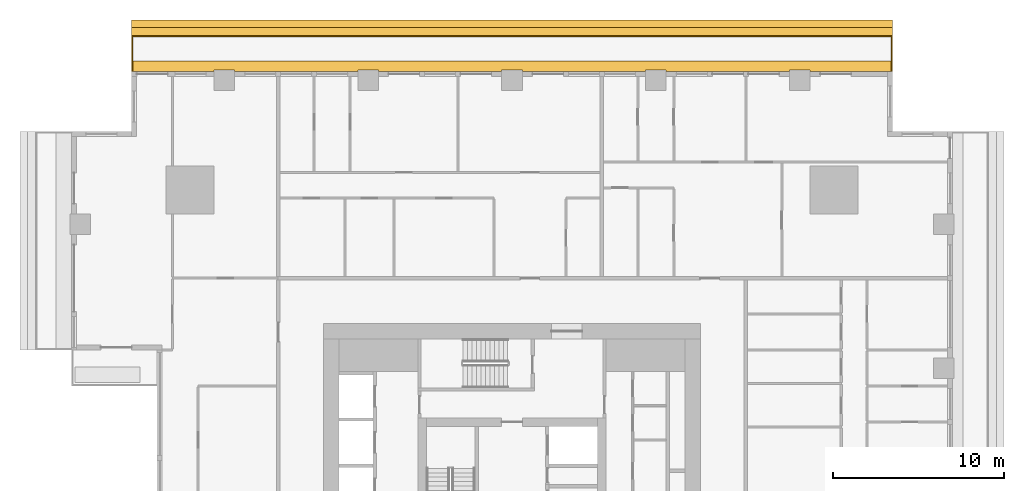
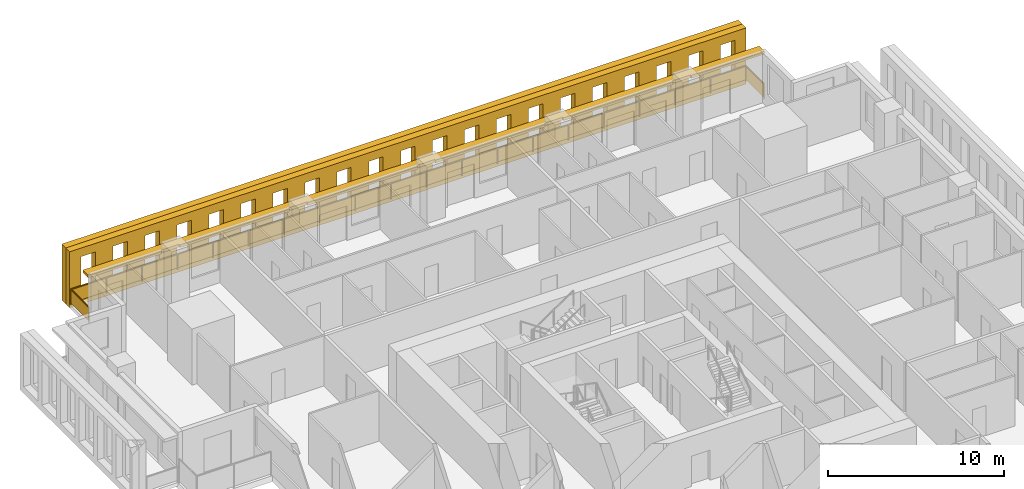
# One storey, part 14 of 14: 3 shading devices, 1 railing.
"""IFC4 building model written with IfcOpenShell, lengths in metres."""

import ifcopenshell
import ifcopenshell.guid

model = None  # the IFC model being written
_history = None  # IfcOwnerHistory: only IFC2X3 demands one
_inside = {}  # id of a spatial element -> (the spatial element, [elements in it])
_under = {}  # id of a project, library or spatial element -> (it, [spatial elements below it])
_declared = {}  # id of a project -> (the project, [libraries it declares])
_typed = {}  # id of a type object -> (the type object, [elements of that type])
_made_of = {}  # id of a material, layer set ... -> (it, [elements and type objects made of it])


def new_model(schema):
    """Start an empty IFC model of exactly this schema.

    Asked for "IFC4X3", IfcOpenShell would pick the latest addendum, in which some entities
    have other attributes; the version numbers below select the first issue.
    IFC2X3 requires an IfcOwnerHistory on every rooted entity: one is made here for all.
    """
    global model, _history
    if schema == "IFC4X3":
        model = ifcopenshell.file(schema_version=(4, 3, 0, 0))
    else:
        model = ifcopenshell.file(schema=schema)
    _inside.clear()
    _under.clear()
    _declared.clear()
    _typed.clear()
    _made_of.clear()
    _history = None
    if model.schema == "IFC2X3":
        org = make("IfcOrganization", Name="unknown")
        user = make(
            "IfcPersonAndOrganization",
            ThePerson=make("IfcPerson", FamilyName="unknown"),
            TheOrganization=org,
        )
        app = make(
            "IfcApplication",
            ApplicationDeveloper=org,
            Version="unknown",
            ApplicationFullName="unknown",
            ApplicationIdentifier="unknown",
        )
        _history = make(
            "IfcOwnerHistory",
            OwningUser=user,
            OwningApplication=app,
            ChangeAction="ADDED",
            CreationDate=0,
        )
    return model


def make(cls, **values):
    """One entity of the class cls with the attributes given. An attribute that is None is left unset."""
    return model.create_entity(
        cls, **{name: value for name, value in values.items() if value is not None}
    )


def rooted(cls, **values):
    """An entity with a GlobalId (a new one), such as an element, a storey or a relation."""
    return make(cls, GlobalId=ifcopenshell.guid.new(), OwnerHistory=_history, **values)


def si_unit(unit_type, name, prefix=None):
    """IfcSIUnit, for example si_unit("LENGTHUNIT", "METRE", prefix="MILLI")."""
    return make("IfcSIUnit", UnitType=unit_type, Prefix=prefix, Name=name)


def assignment(units):
    """IfcUnitAssignment: the units of a project."""
    return None if units is None else make("IfcUnitAssignment", Units=units)


def point(xyz):
    """IfcCartesianPoint."""
    return None if xyz is None else make("IfcCartesianPoint", Coordinates=xyz)


def direction(xyz):
    """IfcDirection."""
    return None if xyz is None else make("IfcDirection", DirectionRatios=xyz)


def frame(location, z_axis=None, x_axis=None):
    """IfcAxis2Placement3D, a coordinate frame: its origin and axes. An axis left out is left unset."""
    return make(
        "IfcAxis2Placement3D",
        Location=point(location),
        Axis=direction(z_axis),
        RefDirection=direction(x_axis),
    )


def frame_2d(location, x_axis=None):
    """IfcAxis2Placement2D, a coordinate frame in the plane: its origin and x axis."""
    return make(
        "IfcAxis2Placement2D", Location=point(location), RefDirection=direction(x_axis)
    )


def origin():
    """The frame at (0, 0, 0) with its axes left unset."""
    return frame((0.0, 0.0, 0.0))


def origin_2d():
    """The frame at (0, 0) in the plane with its x axis left unset."""
    return frame_2d((0.0, 0.0))


def place(relative_to, where):
    """IfcLocalPlacement: puts the frame where relative to a parent placement (None: the world)."""
    return make(
        "IfcLocalPlacement", PlacementRelTo=relative_to, RelativePlacement=where
    )


def context(
    kind, dimensions, precision=None, world=None, true_north=None, identifier=None
):
    """IfcGeometricRepresentationContext, for example the 3D "Model" context."""
    return make(
        "IfcGeometricRepresentationContext",
        ContextIdentifier=identifier,
        ContextType=kind,
        CoordinateSpaceDimension=dimensions,
        Precision=precision,
        WorldCoordinateSystem=world,
        TrueNorth=true_north,
    )


def subcontext(parent, identifier, kind, view, scale=None):
    """IfcGeometricRepresentationSubContext, for example "Body" below "Model"."""
    return make(
        "IfcGeometricRepresentationSubContext",
        ContextIdentifier=identifier,
        ContextType=kind,
        ParentContext=parent,
        TargetScale=scale,
        TargetView=view,
    )


def project(units=None, contexts=None):
    """IfcProject with its units and contexts."""
    return rooted(
        "IfcProject",
        Name="project",
        RepresentationContexts=contexts,
        UnitsInContext=assignment(units),
    )


def spatial(cls, under=None, at=None, **own):
    """A site, building, storey or space (cls), placed at a placement, below another one or the project."""
    s = rooted(cls, ObjectPlacement=at, **own)
    if under is not None:
        _under.setdefault(under.id(), (under, []))[1].append(s)
    return s


def polyline(points):
    """IfcPolyline through the points."""
    return make("IfcPolyline", Points=[point(p) for p in points])


def profile(cls, at=None, kind="AREA", **sizes):
    """A parametric profile (cls). Its sizes go by their IFC names, for example OverallWidth=200.0."""
    return make(cls, ProfileType=kind, Position=at, **sizes)


def rectangle(**sizes):
    """IfcRectangleProfileDef."""
    return profile("IfcRectangleProfileDef", **sizes)


def outline(outer, holes=None, kind="AREA"):
    """IfcArbitraryClosedProfileDef: a profile drawn as a closed curve; with holes, ...WithVoids."""
    if holes is None:
        return make("IfcArbitraryClosedProfileDef", ProfileType=kind, OuterCurve=outer)
    return make(
        "IfcArbitraryProfileDefWithVoids",
        ProfileType=kind,
        OuterCurve=outer,
        InnerCurves=holes,
    )


def extrude(swept, where, along, depth):
    """IfcExtrudedAreaSolid: the profile swept, set in the frame where, extruded along a direction by depth."""
    return make(
        "IfcExtrudedAreaSolid",
        SweptArea=swept,
        Position=where,
        ExtrudedDirection=direction(along),
        Depth=depth,
    )


def shape(context_of_items, identifier, shape_type, items):
    """IfcShapeRepresentation: the items that make up one representation, for example the "Body"."""
    return make(
        "IfcShapeRepresentation",
        ContextOfItems=context_of_items,
        RepresentationIdentifier=identifier,
        RepresentationType=shape_type,
        Items=items,
    )


def material(Name=None, Category=None):
    """IfcMaterial."""
    return make("IfcMaterial", Name=Name, Category=Category)


def layer(
    of_material, thickness, ventilated=None, Name=None, Category=None, Priority=None
):
    """IfcMaterialLayer: one layer of a wall or slab, of a material (None: an air gap)."""
    return make(
        "IfcMaterialLayer",
        Material=of_material,
        LayerThickness=thickness,
        IsVentilated=ventilated,
        Name=Name,
        Category=Category,
        Priority=Priority,
    )


def layer_set(layers, Name=None):
    """IfcMaterialLayerSet."""
    return make("IfcMaterialLayerSet", MaterialLayers=layers, LayerSetName=Name)


def made_of(thing, what):
    """Note that an element or type object is made of a material, layer set ...; save() writes the relation."""
    if what is not None:
        _made_of.setdefault(what.id(), (what, []))[1].append(thing)
    return thing


def type_object(cls, material=None, **own):
    """A type object (cls), such as IfcWallType, which elements share."""
    return made_of(rooted(cls, **own), material)


def element(
    cls,
    number,
    at=None,
    inside=None,
    cuts=None,
    type_object=None,
    material=None,
    context=None,
    identifier="Body",
    shape_type=None,
    held_by="IfcProductDefinitionShape",
    body=None,
    shapes=None,
    **own,
):
    """One element of the class cls, such as IfcWall. Its Tag is "e" and its number.

    at: its placement. inside: the storey or other place that contains it. cuts: it is an
    opening in that element (IfcRelVoidsElement). A single representation is given by context,
    identifier, shape_type and body (its items); several are given by shapes. held_by: the class
    of the entity that holds the representations. save() writes the other relations.
    """
    e = rooted(cls, Tag="e%d" % number, ObjectPlacement=at, **own)
    if body is not None:
        shapes = [shape(context, identifier, shape_type, body)]
    if shapes is not None:
        e.Representation = make(held_by, Representations=shapes)
    if inside is not None:
        _inside.setdefault(inside.id(), (inside, []))[1].append(e)
    if cuts is not None:
        rooted(
            "IfcRelVoidsElement", RelatingBuildingElement=cuts, RelatedOpeningElement=e
        )
    if type_object is not None:
        _typed.setdefault(type_object.id(), (type_object, []))[1].append(e)
    return made_of(e, material)


def aggregate(whole, parts):
    """IfcRelAggregates: a whole, such as a stair, and the parts it consists of."""
    return rooted("IfcRelAggregates", RelatingObject=whole, RelatedObjects=parts)


def save(model, path):
    """Write the relations noted so far, then the file.

    IfcRelAggregates (storeys below a building ...), IfcRelContainedInSpatialStructure (elements
    in a storey), IfcRelDefinesByType, IfcRelAssociatesMaterial and IfcRelDeclares: one each for
    every whole, place, type object, material and project.
    """
    for whole, parts in _under.values():
        aggregate(whole, parts)
    for where, things in _inside.values():
        rooted(
            "IfcRelContainedInSpatialStructure",
            RelatedElements=things,
            RelatingStructure=where,
        )
    for kind, things in _typed.values():
        rooted("IfcRelDefinesByType", RelatedObjects=things, RelatingType=kind)
    for what, things in _made_of.values():
        rooted("IfcRelAssociatesMaterial", RelatedObjects=things, RelatingMaterial=what)
    for by, libraries in _declared.values():
        rooted("IfcRelDeclares", RelatingContext=by, RelatedDefinitions=libraries)
    model.write(path)


model = new_model("IFC4")

# Units and contexts
model_context = context("Model", 3, precision=1e-05, world=origin(), true_north=direction((0.0, 1.0)))
body_context = subcontext(model_context, "Body", "Model", "MODEL_VIEW")
ifc_project = project(units=[si_unit("LENGTHUNIT", "METRE"), si_unit("AREAUNIT", "SQUARE_METRE"), si_unit("VOLUMEUNIT", "CUBIC_METRE"), si_unit("PLANEANGLEUNIT", "RADIAN"), si_unit("MASSUNIT", "GRAM", prefix="KILO")], contexts=[model_context])

# Site, building, storey
site_placement = place(None, origin())
site = spatial("IfcSite", under=ifc_project, at=site_placement, CompositionType="ELEMENT")
building_placement = place(site_placement, origin())
building = spatial("IfcBuilding", under=site, at=building_placement, Name="Khepri Terraces", CompositionType="ELEMENT")
storey_placement = place(building_placement, frame((0.0, 0.0, 102.60009765625)))
storey = spatial("IfcBuildingStorey", under=building, at=storey_placement, Name="L24", CompositionType="ELEMENT", Elevation=102.60009765625)

# Railing
ifc_material_1 = material(Name="Stainless steel grade 316", Category="steel")
railing_type = type_object("IfcRailingType", Name="GRD-BAL-1100", PredefinedType="GUARDRAIL", material=ifc_material_1)
railing_placement = place(storey_placement, frame((22.169921875, 25.719970703125, 0.0)))
element("IfcRailing", 1, at=railing_placement, inside=storey, type_object=railing_type, Name="Balcony guard L24 N", PredefinedType="GUARDRAIL", context=body_context, shape_type="SweptSolid", body=[
    extrude(rectangle(XDim=0.050048828125, YDim=0.06005859375, at=origin_2d()), frame((0.0, 0.0, 1.070068359375), z_axis=(0.0, 1.0, 0.0), x_axis=(-1.0, 0.0, 0.0)), (0.0, 0.0, 1.0), 2.050048828125),
    extrude(rectangle(XDim=2.0, YDim=0.011962890625, at=origin_2d()), frame((0.0, 1.02490234375, 0.10009765625), z_axis=(0.0, 0.0, 1.0), x_axis=(0.0, 1.0, 0.0)), (0.0, 0.0, 1.0), 0.93994140625),
    extrude(rectangle(XDim=0.050048828125, YDim=0.06005859375, at=origin_2d()), frame((0.0, 2.050048828125, 1.070068359375), z_axis=(-1.0, 0.0, 0.0), x_axis=(0.0, -1.0, 0.0)), (0.0, 0.0, 1.0), 44.33984375),
    extrude(rectangle(XDim=2.28369140625, YDim=0.011962890625, at=origin_2d()), frame((-1.166748046875, 2.050048828125, 0.10009765625), z_axis=(0.0, 0.0, 1.0), x_axis=(-1.0, 0.0, 0.0)), (0.0, 0.0, 1.0), 0.93994140625),
    extrude(rectangle(XDim=2.28369140625, YDim=0.011962890625, at=origin_2d()), frame((-3.50048828125, 2.050048828125, 0.10009765625), z_axis=(0.0, 0.0, 1.0), x_axis=(-1.0, 0.0, 0.0)), (0.0, 0.0, 1.0), 0.93994140625),
    extrude(rectangle(XDim=2.28369140625, YDim=0.011962890625, at=origin_2d()), frame((-5.834228515625, 2.050048828125, 0.10009765625), z_axis=(0.0, 0.0, 1.0), x_axis=(-1.0, 0.0, 0.0)), (0.0, 0.0, 1.0), 0.93994140625),
    extrude(rectangle(XDim=2.28369140625, YDim=0.011962890625, at=origin_2d()), frame((-8.16796875, 2.050048828125, 0.10009765625), z_axis=(0.0, 0.0, 1.0), x_axis=(-1.0, 0.0, 0.0)), (0.0, 0.0, 1.0), 0.93994140625),
    extrude(rectangle(XDim=2.28369140625, YDim=0.011962890625, at=origin_2d()), frame((-10.50146484375, 2.050048828125, 0.10009765625), z_axis=(0.0, 0.0, 1.0), x_axis=(-1.0, 0.0, 0.0)), (0.0, 0.0, 1.0), 0.93994140625),
    extrude(rectangle(XDim=2.28369140625, YDim=0.011962890625, at=origin_2d()), frame((-12.835205078125, 2.050048828125, 0.10009765625), z_axis=(0.0, 0.0, 1.0), x_axis=(-1.0, 0.0, 0.0)), (0.0, 0.0, 1.0), 0.93994140625),
    extrude(rectangle(XDim=2.28369140625, YDim=0.011962890625, at=origin_2d()), frame((-15.1689453125, 2.050048828125, 0.10009765625), z_axis=(0.0, 0.0, 1.0), x_axis=(-1.0, 0.0, 0.0)), (0.0, 0.0, 1.0), 0.93994140625),
    extrude(rectangle(XDim=2.28369140625, YDim=0.011962890625, at=origin_2d()), frame((-17.502685546875, 2.050048828125, 0.10009765625), z_axis=(0.0, 0.0, 1.0), x_axis=(-1.0, 0.0, 0.0)), (0.0, 0.0, 1.0), 0.93994140625),
    extrude(rectangle(XDim=2.28369140625, YDim=0.011962890625, at=origin_2d()), frame((-19.836181640625, 2.050048828125, 0.10009765625), z_axis=(0.0, 0.0, 1.0), x_axis=(-1.0, 0.0, 0.0)), (0.0, 0.0, 1.0), 0.93994140625),
    extrude(rectangle(XDim=2.28369140625, YDim=0.011962890625, at=origin_2d()), frame((-22.169921875, 2.050048828125, 0.10009765625), z_axis=(0.0, 0.0, 1.0), x_axis=(-1.0, 0.0, 0.0)), (0.0, 0.0, 1.0), 0.93994140625),
    extrude(rectangle(XDim=2.28369140625, YDim=0.011962890625, at=origin_2d()), frame((-24.503662109375, 2.050048828125, 0.10009765625), z_axis=(0.0, 0.0, 1.0), x_axis=(-1.0, 0.0, 0.0)), (0.0, 0.0, 1.0), 0.93994140625),
    extrude(rectangle(XDim=2.28369140625, YDim=0.011962890625, at=origin_2d()), frame((-26.837158203125, 2.050048828125, 0.10009765625), z_axis=(0.0, 0.0, 1.0), x_axis=(-1.0, 0.0, 0.0)), (0.0, 0.0, 1.0), 0.93994140625),
    extrude(rectangle(XDim=2.28369140625, YDim=0.011962890625, at=origin_2d()), frame((-29.1708984375, 2.050048828125, 0.10009765625), z_axis=(0.0, 0.0, 1.0), x_axis=(-1.0, 0.0, 0.0)), (0.0, 0.0, 1.0), 0.93994140625),
    extrude(rectangle(XDim=2.28369140625, YDim=0.011962890625, at=origin_2d()), frame((-31.504638671875, 2.050048828125, 0.10009765625), z_axis=(0.0, 0.0, 1.0), x_axis=(-1.0, 0.0, 0.0)), (0.0, 0.0, 1.0), 0.93994140625),
    extrude(rectangle(XDim=2.28369140625, YDim=0.011962890625, at=origin_2d()), frame((-33.83837890625, 2.050048828125, 0.10009765625), z_axis=(0.0, 0.0, 1.0), x_axis=(-1.0, 0.0, 0.0)), (0.0, 0.0, 1.0), 0.93994140625),
    extrude(rectangle(XDim=2.28369140625, YDim=0.011962890625, at=origin_2d()), frame((-36.171875, 2.050048828125, 0.10009765625), z_axis=(0.0, 0.0, 1.0), x_axis=(-1.0, 0.0, 0.0)), (0.0, 0.0, 1.0), 0.93994140625),
    extrude(rectangle(XDim=2.28369140625, YDim=0.011962890625, at=origin_2d()), frame((-38.505615234375, 2.050048828125, 0.10009765625), z_axis=(0.0, 0.0, 1.0), x_axis=(-1.0, 0.0, 0.0)), (0.0, 0.0, 1.0), 0.93994140625),
    extrude(rectangle(XDim=2.28369140625, YDim=0.011962890625, at=origin_2d()), frame((-40.83935546875, 2.050048828125, 0.10009765625), z_axis=(0.0, 0.0, 1.0), x_axis=(-1.0, 0.0, 0.0)), (0.0, 0.0, 1.0), 0.93994140625),
    extrude(rectangle(XDim=2.28369140625, YDim=0.011962890625, at=origin_2d()), frame((-43.173095703125, 2.050048828125, 0.10009765625), z_axis=(0.0, 0.0, 1.0), x_axis=(-1.0, 0.0, 0.0)), (0.0, 0.0, 1.0), 0.93994140625),
    extrude(rectangle(XDim=0.050048828125, YDim=0.06005859375, at=origin_2d()), frame((-44.33984375, 2.050048828125, 1.070068359375), z_axis=(0.0, -1.0, 0.0), x_axis=(1.0, 0.0, 0.0)), (0.0, 0.0, 1.0), 2.050048828125),
    extrude(rectangle(XDim=2.0, YDim=0.011962890625, at=origin_2d()), frame((-44.33984375, 1.02490234375, 0.10009765625), z_axis=(0.0, 0.0, 1.0), x_axis=(0.0, -1.0, 0.0)), (0.0, 0.0, 1.0), 0.93994140625),
    extrude(rectangle(XDim=0.050048828125, YDim=0.050048828125, at=origin_2d()), origin(), (0.0, 0.0, 1.0), 1.0400390625),
    extrude(rectangle(XDim=0.050048828125, YDim=0.050048828125, at=origin_2d()), frame((0.0, 2.050048828125, 0.0)), (0.0, 0.0, 1.0), 1.0400390625),
    extrude(rectangle(XDim=0.050048828125, YDim=0.050048828125, at=origin_2d()), frame((-2.333740234375, 2.050048828125, 0.0)), (0.0, 0.0, 1.0), 1.0400390625),
    extrude(rectangle(XDim=0.050048828125, YDim=0.050048828125, at=origin_2d()), frame((-4.667236328125, 2.050048828125, 0.0)), (0.0, 0.0, 1.0), 1.0400390625),
    extrude(rectangle(XDim=0.050048828125, YDim=0.050048828125, at=origin_2d()), frame((-7.0009765625, 2.050048828125, 0.0)), (0.0, 0.0, 1.0), 1.0400390625),
    extrude(rectangle(XDim=0.050048828125, YDim=0.050048828125, at=origin_2d()), frame((-9.334716796875, 2.050048828125, 0.0)), (0.0, 0.0, 1.0), 1.0400390625),
    extrude(rectangle(XDim=0.050048828125, YDim=0.050048828125, at=origin_2d()), frame((-11.66845703125, 2.050048828125, 0.0)), (0.0, 0.0, 1.0), 1.0400390625),
    extrude(rectangle(XDim=0.050048828125, YDim=0.050048828125, at=origin_2d()), frame((-14.001953125, 2.050048828125, 0.0)), (0.0, 0.0, 1.0), 1.0400390625),
    extrude(rectangle(XDim=0.050048828125, YDim=0.050048828125, at=origin_2d()), frame((-16.335693359375, 2.050048828125, 0.0)), (0.0, 0.0, 1.0), 1.0400390625),
    extrude(rectangle(XDim=0.050048828125, YDim=0.050048828125, at=origin_2d()), frame((-18.66943359375, 2.050048828125, 0.0)), (0.0, 0.0, 1.0), 1.0400390625),
    extrude(rectangle(XDim=0.050048828125, YDim=0.050048828125, at=origin_2d()), frame((-21.003173828125, 2.050048828125, 0.0)), (0.0, 0.0, 1.0), 1.0400390625),
    extrude(rectangle(XDim=0.050048828125, YDim=0.050048828125, at=origin_2d()), frame((-23.336669921875, 2.050048828125, 0.0)), (0.0, 0.0, 1.0), 1.0400390625),
    extrude(rectangle(XDim=0.050048828125, YDim=0.050048828125, at=origin_2d()), frame((-25.67041015625, 2.050048828125, 0.0)), (0.0, 0.0, 1.0), 1.0400390625),
    extrude(rectangle(XDim=0.050048828125, YDim=0.050048828125, at=origin_2d()), frame((-28.004150390625, 2.050048828125, 0.0)), (0.0, 0.0, 1.0), 1.0400390625),
    extrude(rectangle(XDim=0.050048828125, YDim=0.050048828125, at=origin_2d()), frame((-30.337890625, 2.050048828125, 0.0)), (0.0, 0.0, 1.0), 1.0400390625),
    extrude(rectangle(XDim=0.050048828125, YDim=0.050048828125, at=origin_2d()), frame((-32.67138671875, 2.050048828125, 0.0)), (0.0, 0.0, 1.0), 1.0400390625),
    extrude(rectangle(XDim=0.050048828125, YDim=0.050048828125, at=origin_2d()), frame((-35.005126953125, 2.050048828125, 0.0)), (0.0, 0.0, 1.0), 1.0400390625),
    extrude(rectangle(XDim=0.050048828125, YDim=0.050048828125, at=origin_2d()), frame((-37.3388671875, 2.050048828125, 0.0)), (0.0, 0.0, 1.0), 1.0400390625),
    extrude(rectangle(XDim=0.050048828125, YDim=0.050048828125, at=origin_2d()), frame((-39.672607421875, 2.050048828125, 0.0)), (0.0, 0.0, 1.0), 1.0400390625),
    extrude(rectangle(XDim=0.050048828125, YDim=0.050048828125, at=origin_2d()), frame((-42.006103515625, 2.050048828125, 0.0)), (0.0, 0.0, 1.0), 1.0400390625),
    extrude(rectangle(XDim=0.050048828125, YDim=0.050048828125, at=origin_2d()), frame((-44.33984375, 2.050048828125, 0.0)), (0.0, 0.0, 1.0), 1.0400390625),
    extrude(rectangle(XDim=0.050048828125, YDim=0.050048828125, at=origin_2d()), frame((-44.33984375, 0.0, 0.0)), (0.0, 0.0, 1.0), 1.0400390625),
])

# Shading devices
ifc_material_2 = material(Name="Precast concrete C50/60 warm stone", Category="masonry")
shading_device_type_1 = type_object("IfcShadingDeviceType", Name="SCR-CELL-INNER-450", PredefinedType="USERDEFINED", material=ifc_material_2)
shading_device_1_placement = place(storey_placement, frame((22.219970703125, 27.820068359375, -0.25), z_axis=(0.0, 1.0, 0.0), x_axis=(-1.0, 0.0, 0.0)))
element("IfcShadingDevice", 2, at=shading_device_1_placement, inside=storey, type_object=shading_device_type_1, Name="Cell screen L24 N in", ObjectType="SCREEN", PredefinedType="USERDEFINED", context=body_context, shape_type="SweptSolid", body=[
    extrude(outline(polyline([(0.0, 0.0), (44.43994140625, 0.0), (44.43994140625, 3.89990234375), (0.0, 3.89990234375), (0.0, 0.0)]), holes=[polyline([(0.74755859375, 0.699951171875), (1.6923828125, 0.699951171875), (1.6923828125, 3.300048828125), (0.74755859375, 3.300048828125), (0.74755859375, 0.699951171875)]), polyline([(2.847412109375, 0.699951171875), (3.79248046875, 0.699951171875), (3.79248046875, 3.300048828125), (2.847412109375, 3.300048828125), (2.847412109375, 0.699951171875)]), polyline([(4.947509765625, 0.699951171875), (5.892578125, 0.699951171875), (5.892578125, 3.300048828125), (4.947509765625, 3.300048828125), (4.947509765625, 0.699951171875)]), polyline([(7.047607421875, 0.699951171875), (7.992431640625, 0.699951171875), (7.992431640625, 3.300048828125), (7.047607421875, 3.300048828125), (7.047607421875, 0.699951171875)]), polyline([(9.1474609375, 0.699951171875), (10.092529296875, 0.699951171875), (10.092529296875, 3.300048828125), (9.1474609375, 3.300048828125), (9.1474609375, 0.699951171875)]), polyline([(11.24755859375, 0.699951171875), (12.1923828125, 0.699951171875), (12.1923828125, 3.300048828125), (11.24755859375, 3.300048828125), (11.24755859375, 0.699951171875)]), polyline([(13.347412109375, 0.699951171875), (14.29248046875, 0.699951171875), (14.29248046875, 3.300048828125), (13.347412109375, 3.300048828125), (13.347412109375, 0.699951171875)]), polyline([(15.447509765625, 0.699951171875), (16.392578125, 0.699951171875), (16.392578125, 3.300048828125), (15.447509765625, 3.300048828125), (15.447509765625, 0.699951171875)]), polyline([(17.547607421875, 0.699951171875), (18.492431640625, 0.699951171875), (18.492431640625, 3.300048828125), (17.547607421875, 3.300048828125), (17.547607421875, 0.699951171875)]), polyline([(19.6474609375, 0.699951171875), (20.592529296875, 0.699951171875), (20.592529296875, 3.300048828125), (19.6474609375, 3.300048828125), (19.6474609375, 0.699951171875)]), polyline([(21.74755859375, 0.699951171875), (22.6923828125, 0.699951171875), (22.6923828125, 3.300048828125), (21.74755859375, 3.300048828125), (21.74755859375, 0.699951171875)]), polyline([(23.847412109375, 0.699951171875), (24.79248046875, 0.699951171875), (24.79248046875, 3.300048828125), (23.847412109375, 3.300048828125), (23.847412109375, 0.699951171875)]), polyline([(25.947509765625, 0.699951171875), (26.892578125, 0.699951171875), (26.892578125, 3.300048828125), (25.947509765625, 3.300048828125), (25.947509765625, 0.699951171875)]), polyline([(28.047607421875, 0.699951171875), (28.992431640625, 0.699951171875), (28.992431640625, 3.300048828125), (28.047607421875, 3.300048828125), (28.047607421875, 0.699951171875)]), polyline([(30.1474609375, 0.699951171875), (31.092529296875, 0.699951171875), (31.092529296875, 3.300048828125), (30.1474609375, 3.300048828125), (30.1474609375, 0.699951171875)]), polyline([(32.24755859375, 0.699951171875), (33.1923828125, 0.699951171875), (33.1923828125, 3.300048828125), (32.24755859375, 3.300048828125), (32.24755859375, 0.699951171875)]), polyline([(34.347412109375, 0.699951171875), (35.29248046875, 0.699951171875), (35.29248046875, 3.300048828125), (34.347412109375, 3.300048828125), (34.347412109375, 0.699951171875)]), polyline([(36.447509765625, 0.699951171875), (37.392578125, 0.699951171875), (37.392578125, 3.300048828125), (36.447509765625, 3.300048828125), (36.447509765625, 0.699951171875)]), polyline([(38.547607421875, 0.699951171875), (39.492431640625, 0.699951171875), (39.492431640625, 3.300048828125), (38.547607421875, 3.300048828125), (38.547607421875, 0.699951171875)]), polyline([(40.6474609375, 0.699951171875), (41.592529296875, 0.699951171875), (41.592529296875, 3.300048828125), (40.6474609375, 3.300048828125), (40.6474609375, 0.699951171875)]), polyline([(42.74755859375, 0.699951171875), (43.6923828125, 0.699951171875), (43.6923828125, 3.300048828125), (42.74755859375, 3.300048828125), (42.74755859375, 0.699951171875)])]), origin(), (0.0, 0.0, 1.0), 0.449951171875),
])
shading_device_type_2 = type_object("IfcShadingDeviceType", Name="SCR-CELL-OUTER-450", PredefinedType="USERDEFINED", material=ifc_material_2)
shading_device_2_placement = place(storey_placement, frame((22.219970703125, 28.27001953125, -0.25), z_axis=(0.0, 1.0, 0.0), x_axis=(-1.0, 0.0, 0.0)))
element("IfcShadingDevice", 3, at=shading_device_2_placement, inside=storey, type_object=shading_device_type_2, Name="Cell screen L24 N out", ObjectType="SCREEN", PredefinedType="USERDEFINED", context=body_context, shape_type="SweptSolid", body=[
    extrude(outline(polyline([(0.0, 0.0), (44.43994140625, 0.0), (44.43994140625, 3.89990234375), (0.0, 3.89990234375), (0.0, 0.0)]), holes=[polyline([(0.3974609375, 0.449951171875), (2.04248046875, 0.449951171875), (2.04248046875, 3.550048828125), (0.3974609375, 3.550048828125), (0.3974609375, 0.449951171875)]), polyline([(2.49755859375, 0.449951171875), (4.142578125, 0.449951171875), (4.142578125, 3.550048828125), (2.49755859375, 3.550048828125), (2.49755859375, 0.449951171875)]), polyline([(4.597412109375, 0.449951171875), (6.242431640625, 0.449951171875), (6.242431640625, 3.550048828125), (4.597412109375, 3.550048828125), (4.597412109375, 0.449951171875)]), polyline([(6.697509765625, 0.449951171875), (8.342529296875, 0.449951171875), (8.342529296875, 3.550048828125), (6.697509765625, 3.550048828125), (6.697509765625, 0.449951171875)]), polyline([(8.797607421875, 0.449951171875), (10.4423828125, 0.449951171875), (10.4423828125, 3.550048828125), (8.797607421875, 3.550048828125), (8.797607421875, 0.449951171875)]), polyline([(10.8974609375, 0.449951171875), (12.54248046875, 0.449951171875), (12.54248046875, 3.550048828125), (10.8974609375, 3.550048828125), (10.8974609375, 0.449951171875)]), polyline([(12.99755859375, 0.449951171875), (14.642578125, 0.449951171875), (14.642578125, 3.550048828125), (12.99755859375, 3.550048828125), (12.99755859375, 0.449951171875)]), polyline([(15.097412109375, 0.449951171875), (16.742431640625, 0.449951171875), (16.742431640625, 3.550048828125), (15.097412109375, 3.550048828125), (15.097412109375, 0.449951171875)]), polyline([(17.197509765625, 0.449951171875), (18.842529296875, 0.449951171875), (18.842529296875, 3.550048828125), (17.197509765625, 3.550048828125), (17.197509765625, 0.449951171875)]), polyline([(19.297607421875, 0.449951171875), (20.9423828125, 0.449951171875), (20.9423828125, 3.550048828125), (19.297607421875, 3.550048828125), (19.297607421875, 0.449951171875)]), polyline([(21.3974609375, 0.449951171875), (23.04248046875, 0.449951171875), (23.04248046875, 3.550048828125), (21.3974609375, 3.550048828125), (21.3974609375, 0.449951171875)]), polyline([(23.49755859375, 0.449951171875), (25.142578125, 0.449951171875), (25.142578125, 3.550048828125), (23.49755859375, 3.550048828125), (23.49755859375, 0.449951171875)]), polyline([(25.597412109375, 0.449951171875), (27.242431640625, 0.449951171875), (27.242431640625, 3.550048828125), (25.597412109375, 3.550048828125), (25.597412109375, 0.449951171875)]), polyline([(27.697509765625, 0.449951171875), (29.342529296875, 0.449951171875), (29.342529296875, 3.550048828125), (27.697509765625, 3.550048828125), (27.697509765625, 0.449951171875)]), polyline([(29.797607421875, 0.449951171875), (31.4423828125, 0.449951171875), (31.4423828125, 3.550048828125), (29.797607421875, 3.550048828125), (29.797607421875, 0.449951171875)]), polyline([(31.8974609375, 0.449951171875), (33.54248046875, 0.449951171875), (33.54248046875, 3.550048828125), (31.8974609375, 3.550048828125), (31.8974609375, 0.449951171875)]), polyline([(33.99755859375, 0.449951171875), (35.642578125, 0.449951171875), (35.642578125, 3.550048828125), (33.99755859375, 3.550048828125), (33.99755859375, 0.449951171875)]), polyline([(36.097412109375, 0.449951171875), (37.742431640625, 0.449951171875), (37.742431640625, 3.550048828125), (36.097412109375, 3.550048828125), (36.097412109375, 0.449951171875)]), polyline([(38.197509765625, 0.449951171875), (39.842529296875, 0.449951171875), (39.842529296875, 3.550048828125), (38.197509765625, 3.550048828125), (38.197509765625, 0.449951171875)]), polyline([(40.297607421875, 0.449951171875), (41.9423828125, 0.449951171875), (41.9423828125, 3.550048828125), (40.297607421875, 3.550048828125), (40.297607421875, 0.449951171875)]), polyline([(42.3974609375, 0.449951171875), (44.04248046875, 0.449951171875), (44.04248046875, 3.550048828125), (42.3974609375, 3.550048828125), (42.3974609375, 0.449951171875)])]), origin(), (0.0, 0.0, 1.0), 0.449951171875),
])
ifc_layer = layer(ifc_material_2, 0.199951171875, Name="Precast concrete C50/60 warm stone", Category="masonry")
ifc_layer_set = layer_set([ifc_layer], Name="Precast concrete C50/60 warm stone")
shading_device_type_3 = type_object("IfcShadingDeviceType", Name="SSH-BAND-STONE-200-N", PredefinedType="USERDEFINED", material=ifc_layer_set)
shading_device_3_placement = place(storey_placement, frame((0.0, 0.0, 3.099853515625)))
element("IfcShadingDevice", 4, at=shading_device_3_placement, inside=storey, type_object=shading_device_type_3, Name="Sunshade band L24 N", ObjectType="SUNSHADE", PredefinedType="USERDEFINED", context=body_context, shape_type="SweptSolid", body=[
    extrude(outline(polyline([(17.39990234375, 25.719970703125), (22.219970703125, 25.719970703125), (22.219970703125, 26.320068359375), (-22.219970703125, 26.320068359375), (-22.219970703125, 25.719970703125), (-17.39990234375, 25.719970703125), (-17.39990234375, 25.800048828125), (-16.199951171875, 25.800048828125), (-16.199951171875, 25.719970703125), (-9.0, 25.719970703125), (-9.0, 25.800048828125), (-7.800048828125, 25.800048828125), (-7.800048828125, 25.719970703125), (-0.60009765625, 25.719970703125), (-0.60009765625, 25.800048828125), (0.60009765625, 25.800048828125), (0.60009765625, 25.719970703125), (7.800048828125, 25.719970703125), (7.800048828125, 25.800048828125), (9.0, 25.800048828125), (9.0, 25.719970703125), (16.199951171875, 25.719970703125), (16.199951171875, 25.800048828125), (17.39990234375, 25.800048828125), (17.39990234375, 25.719970703125)])), origin(), (0.0, 0.0, 1.0), 0.199951171875),
])

save(model, "model.ifc")
